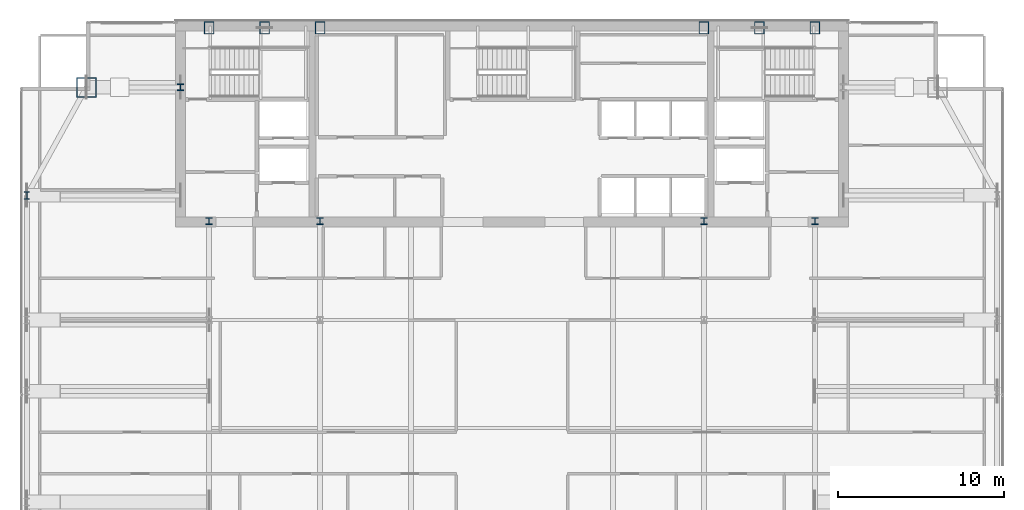
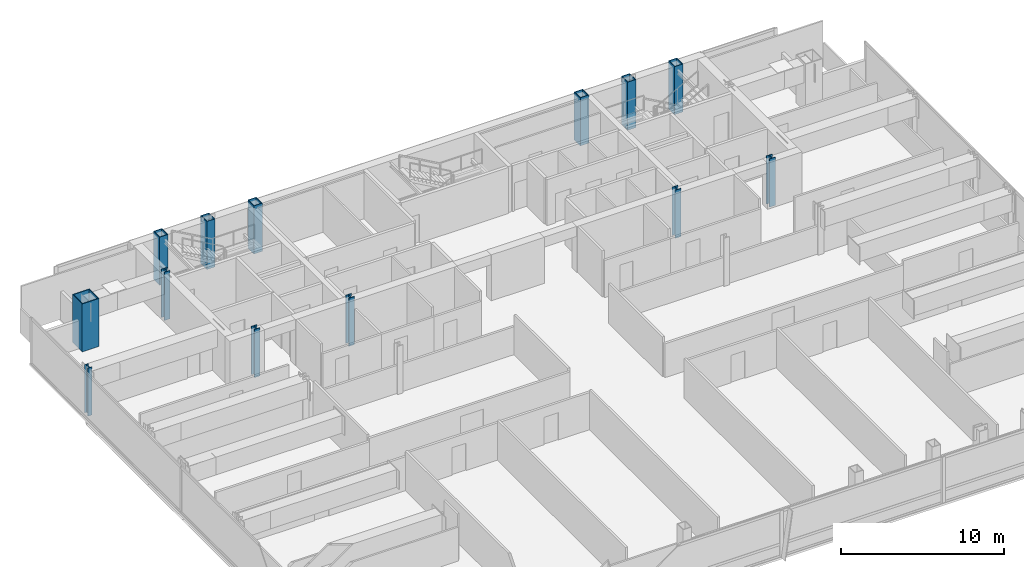
# One storey, part 3 of 26: 13 columns.
"""IFC4 building model written with IfcOpenShell, lengths in metres."""

from ifc_helpers import new_model, si_unit, direction, frame, origin, origin_2d, place, context, subcontext, project, spatial, hollow_rectangle, i_section, extrude, material, material_profile, profile_set, type_object, element, save


model = new_model("IFC4")

# Units and contexts
model_context = context("Model", 3, precision=1e-05, world=origin(), true_north=direction((0.0, 1.0)))
body_context = subcontext(model_context, "Body", "Model", "MODEL_VIEW")
ifc_project = project(units=[si_unit("LENGTHUNIT", "METRE"), si_unit("AREAUNIT", "SQUARE_METRE"), si_unit("VOLUMEUNIT", "CUBIC_METRE"), si_unit("PLANEANGLEUNIT", "RADIAN"), si_unit("MASSUNIT", "GRAM", prefix="KILO")], contexts=[model_context])

# Site, building, storey
site_placement = place(None, origin())
site = spatial("IfcSite", under=ifc_project, at=site_placement, CompositionType="ELEMENT")
building_placement = place(site_placement, origin())
building = spatial("IfcBuilding", under=site, at=building_placement, Name="Khoronbel Lancet Exchange", CompositionType="ELEMENT")
storey_placement = place(building_placement, frame((0.0, 0.0, 235.39990234375)))
storey = spatial("IfcBuildingStorey", under=building, at=storey_placement, Name="L60", CompositionType="ELEMENT", Elevation=235.39990234375)

# Columns
ifc_material_1 = material(Name="Steel S460", Category="steel")
ifc_material_profile_1 = material_profile(ifc_material_1, hollow_rectangle(XDim=0.60009765625, YDim=0.75, WallThickness=0.044921875, at=origin_2d()), Name="BOX 750x600x45")
ifc_profile_set_1 = profile_set([ifc_material_profile_1], Name="Steel S460")
column_type_1 = type_object("IfcColumnType", Name="COL-EC3", PredefinedType="COLUMN", material=ifc_profile_set_1)
for number, where, z_axis, x_axis, name in (
    (1, (18.22509765625, 53.280029296875, 0.0), (0.0, 0.0, 1.0), (1.0, 0.0, 0.0), "Structural column NC-W1 L60"),
    (2, (21.5625, 53.280029296875, 0.0), (0.0, 0.0, 1.0), (1.0, 0.0, 0.0), "Structural column NC-WM L60"),
    (3, (24.89990234375, 53.280029296875, 0.0), (0.0, 0.0, 1.0), (1.0, 0.0, 0.0), "Structural column NC-W2 L60"),
    (4, (48.0, 53.280029296875, 0.0), (0.0, 0.0, 1.0), (1.0, 0.0, 0.0), "Structural column NC-E1 L60"),
    (5, (51.33740234375, 53.280029296875, 0.0), (0.0, 0.0, 1.0), (1.0, 0.0, 0.0), "Structural column NC-EM L60"),
    (6, (54.675048828125, 53.280029296875, 0.0), (0.0, 0.0, 1.0), (1.0, 0.0, 0.0), "Structural column NC-E2 L60"),
):
    element("IfcColumn", number, at=place(storey_placement, frame(where, z_axis=z_axis, x_axis=x_axis)), inside=storey, type_object=column_type_1, Name=name, PredefinedType="COLUMN", context=body_context, shape_type="SweptSolid", body=[
        extrude(hollow_rectangle(XDim=0.60009765625, YDim=0.75, WallThickness=0.044921875, at=origin_2d()), origin(), (0.0, 0.0, 1.0), 3.60009765625),
    ])
ifc_material_2 = material(Name="Steel S355", Category="steel")
ifc_material_profile_2 = material_profile(ifc_material_2, i_section(OverallWidth=0.406005859375, OverallDepth=0.416015625, WebThickness=0.02978515625, FlangeThickness=0.048095703125, at=origin_2d()), Name="HD 400x382")
ifc_profile_set_2 = profile_set([ifc_material_profile_2], Name="Steel S355")
column_type_2 = type_object("IfcColumnType", Name="COL-IC3", PredefinedType="COLUMN", material=ifc_profile_set_2)
for number, where, z_axis, x_axis, name in (
    (7, (16.5, 49.699951171875, 0.0), (0.0, 0.0, 1.0), (1.0, 0.0, 0.0), "Core-flank plumb transfer column CFW L60"),
    (8, (18.22509765625, 41.64990234375, 0.0), (0.0, 0.0, 1.0), (1.0, 0.0, 0.0), "Core-embedded steel column CTC1 L60"),
    (9, (24.89990234375, 41.64990234375, 0.0), (0.0, 0.0, 1.0), (1.0, 0.0, 0.0), "Core-embedded steel column CTC2 L60"),
    (10, (48.0, 41.64990234375, 0.0), (0.0, 0.0, 1.0), (1.0, 0.0, 0.0), "Core-embedded steel column CTC3 L60"),
    (11, (54.675048828125, 41.64990234375, 0.0), (0.0, 0.0, 1.0), (1.0, 0.0, 0.0), "Core-embedded steel column CTC4 L60"),
):
    element("IfcColumn", number, at=place(storey_placement, frame(where, z_axis=z_axis, x_axis=x_axis)), inside=storey, type_object=column_type_2, Name=name, PredefinedType="COLUMN", context=body_context, shape_type="SweptSolid", body=[
        extrude(i_section(OverallWidth=0.406005859375, OverallDepth=0.416015625, WebThickness=0.02978515625, FlangeThickness=0.048095703125, at=origin_2d()), origin(), (0.0, 0.0, 1.0), 3.60009765625),
    ])
ifc_material_profile_3 = material_profile(ifc_material_2, i_section(OverallWidth=0.300048828125, OverallDepth=0.449951171875, WebThickness=0.013916015625, FlangeThickness=0.02587890625, at=origin_2d()), Name="HEB 450")
ifc_profile_set_3 = profile_set([ifc_material_profile_3], Name="Steel S355")
column_type_3 = type_object("IfcColumnType", Name="COL-LC2", PredefinedType="COLUMN", material=ifc_profile_set_3)
column_1_placement = place(storey_placement, frame((7.27001953125, 43.199951171875, 0.0), z_axis=(0.0, 0.0, 1.0), x_axis=(1.0, 0.0, 0.0)))
element("IfcColumn", 12, at=column_1_placement, inside=storey, type_object=column_type_3, Name="Structural column WC-4 L60", PredefinedType="COLUMN", context=body_context, shape_type="SweptSolid", body=[
    extrude(i_section(OverallWidth=0.300048828125, OverallDepth=0.449951171875, WebThickness=0.013916015625, FlangeThickness=0.02587890625, at=origin_2d()), origin(), (0.0, 0.0, 1.0), 3.60009765625),
])
ifc_material_profile_4 = material_profile(ifc_material_1, hollow_rectangle(XDim=1.199951171875, YDim=1.199951171875, WallThickness=0.06005859375, at=origin_2d()), Name="BOX 1200x1200x60")
ifc_profile_set_4 = profile_set([ifc_material_profile_4], Name="Steel S460")
column_type_4 = type_object("IfcColumnType", Name="COL-MC5", PredefinedType="COLUMN", material=ifc_profile_set_4)
column_2_placement = place(storey_placement, frame((10.85009765625, 49.699951171875, 0.0), z_axis=(0.0, 0.0, 1.0), x_axis=(1.0, 0.0, 0.0)))
element("IfcColumn", 13, at=column_2_placement, inside=storey, type_object=column_type_4, Name="Structural column MC-NW L60", PredefinedType="COLUMN", context=body_context, shape_type="SweptSolid", body=[
    extrude(hollow_rectangle(XDim=1.199951171875, YDim=1.199951171875, WallThickness=0.06005859375, at=origin_2d()), origin(), (0.0, 0.0, 1.0), 3.60009765625),
])

save(model, "model.ifc")
